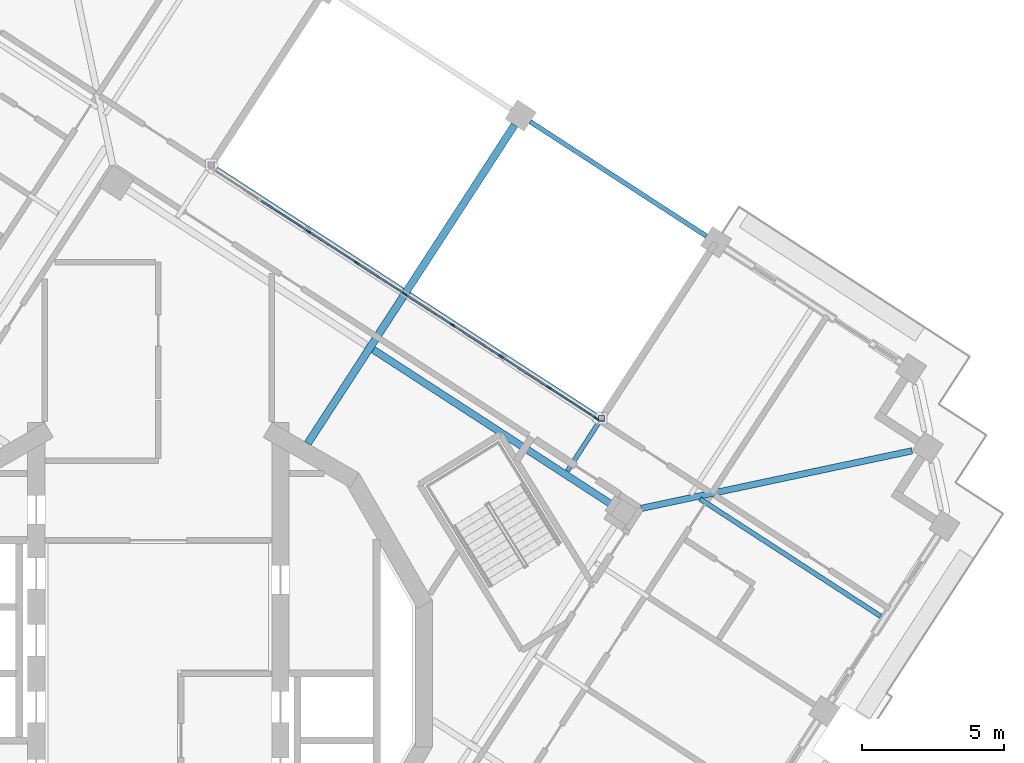
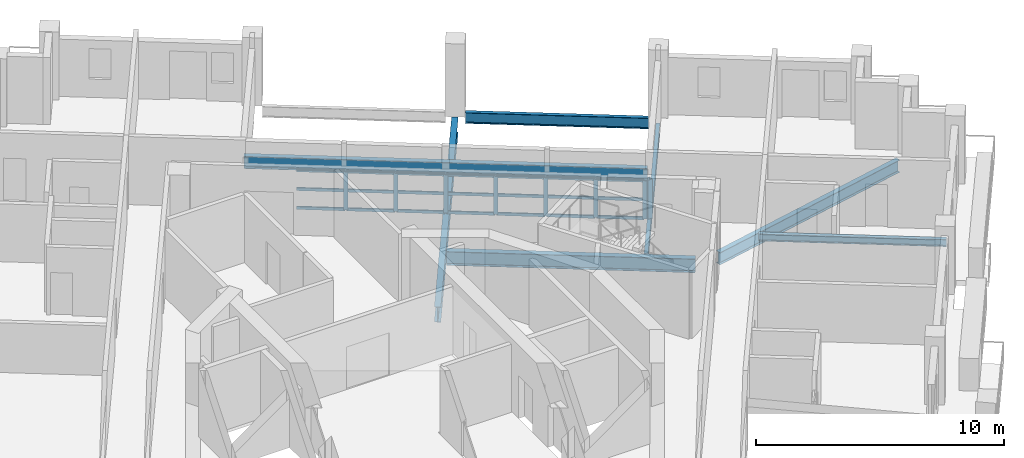
# One storey, part 3 of 17: 29 members, 7 beams, 1 element without a shape of its own.
"""IFC4 building model written with IfcOpenShell, lengths in metres."""

from ifc_helpers import new_model, si_unit, direction, frame, origin, origin_2d, place, context, subcontext, project, spatial, rectangle, hollow_rectangle, i_section, extrude, material, material_profile, profile_set, type_object, element, aggregate, save


model = new_model("IFC4")

# Units and contexts
model_context = context("Model", 3, precision=1e-05, world=origin(), true_north=direction((0.0, 1.0)))
body_context = subcontext(model_context, "Body", "Model", "MODEL_VIEW")
ifc_project = project(units=[si_unit("LENGTHUNIT", "METRE"), si_unit("AREAUNIT", "SQUARE_METRE"), si_unit("VOLUMEUNIT", "CUBIC_METRE"), si_unit("PLANEANGLEUNIT", "RADIAN"), si_unit("MASSUNIT", "GRAM", prefix="KILO")], contexts=[model_context])

# Site, building, storey
site_placement = place(None, origin())
site = spatial("IfcSite", under=ifc_project, at=site_placement, CompositionType="ELEMENT")
building_placement = place(site_placement, origin())
building = spatial("IfcBuilding", under=site, at=building_placement, Name="Cantera Rosa Tower", CompositionType="ELEMENT")
storey_placement = place(building_placement, frame((0.0, 0.0, 279.300048828125)))
storey = spatial("IfcBuildingStorey", under=building, at=storey_placement, Name="L63", CompositionType="ELEMENT", Elevation=279.300048828125)

# Curtain wall, members
ifc_material_1 = material(Name="Aluminium frame with clear glass", Category="aluminium")
curtain_wall_type = type_object("IfcCurtainWallType", Name="CW1 TERRACE POCKET GLAZING", PredefinedType="NOTDEFINED", material=ifc_material_1)
curtain_wall_placement = place(storey_placement, origin())
curtain_wall = element("IfcCurtainWall", 1, at=curtain_wall_placement, inside=storey, type_object=curtain_wall_type, Name="CW1 CW1", PredefinedType="NOTDEFINED")
ifc_material_2 = material(Name="Anodised bronze aluminium", Category="aluminium")
ifc_material_profile_1 = material_profile(ifc_material_2, rectangle(XDim=0.06005859375, YDim=0.179931640625, at=origin_2d()), Name="CW-MULLION 60x180 POCKET")
ifc_profile_set_1 = profile_set([ifc_material_profile_1], Name="Anodised bronze aluminium")
member_type_1 = type_object("IfcMemberType", Name="CW-MULLION 60x180 POCKET", PredefinedType="MULLION", material=ifc_profile_set_1)
member_1_placement = place(storey_placement, frame((15.43408203125, 8.9951171875, 0.0), z_axis=(0.0, 0.0, 1.0), x_axis=(-0.544639034971, -0.838670567974, 0.0)))
member_1 = element("IfcMember", 2, at=member_1_placement, type_object=member_type_1, Name="CW1 mullion 1", PredefinedType="MULLION", context=body_context, shape_type="SweptSolid", body=[
    extrude(rectangle(XDim=0.06005859375, YDim=0.179931640625, at=origin_2d()), origin(), (0.0, 0.0, 1.0), 1.911865234375),
])
member_2_placement = place(storey_placement, frame((13.76611328125, 10.078369140625, 0.0), z_axis=(0.0, 0.0, 1.0), x_axis=(-0.544639034971, -0.838670567974, 0.0)))
member_2 = element("IfcMember", 3, at=member_2_placement, type_object=member_type_1, Name="CW1 mullion 2", PredefinedType="MULLION", context=body_context, shape_type="SweptSolid", body=[
    extrude(rectangle(XDim=0.06005859375, YDim=0.179931640625, at=origin_2d()), origin(), (0.0, 0.0, 1.0), 1.911865234375),
])
member_3_placement = place(storey_placement, frame((12.0732421875, 11.177734375, 0.0), z_axis=(0.0, 0.0, 1.0), x_axis=(-0.544639034971, -0.838670567974, 0.0)))
member_3 = element("IfcMember", 4, at=member_3_placement, type_object=member_type_1, Name="CW1 mullion 3", PredefinedType="MULLION", context=body_context, shape_type="SweptSolid", body=[
    extrude(rectangle(XDim=0.06005859375, YDim=0.179931640625, at=origin_2d()), origin(), (0.0, 0.0, 1.0), 1.911865234375),
])
member_4_placement = place(storey_placement, frame((10.380126953125, 12.27734375, 0.0), z_axis=(0.0, 0.0, 1.0), x_axis=(-0.544639034971, -0.838670567974, 0.0)))
member_4 = element("IfcMember", 5, at=member_4_placement, type_object=member_type_1, Name="CW1 mullion 4", PredefinedType="MULLION", context=body_context, shape_type="SweptSolid", body=[
    extrude(rectangle(XDim=0.06005859375, YDim=0.179931640625, at=origin_2d()), origin(), (0.0, 0.0, 1.0), 1.911865234375),
])
member_5_placement = place(storey_placement, frame((8.68701171875, 13.376708984375, 0.0), z_axis=(0.0, 0.0, 1.0), x_axis=(-0.544639034971, -0.838670567974, 0.0)))
member_5 = element("IfcMember", 6, at=member_5_placement, type_object=member_type_1, Name="CW1 mullion 5", PredefinedType="MULLION", context=body_context, shape_type="SweptSolid", body=[
    extrude(rectangle(XDim=0.06005859375, YDim=0.179931640625, at=origin_2d()), origin(), (0.0, 0.0, 1.0), 1.911865234375),
])
member_6_placement = place(storey_placement, frame((6.993896484375, 14.476318359375, 0.0), z_axis=(0.0, 0.0, 1.0), x_axis=(-0.544639034971, -0.838670567974, 0.0)))
member_6 = element("IfcMember", 7, at=member_6_placement, type_object=member_type_1, Name="CW1 mullion 6", PredefinedType="MULLION", context=body_context, shape_type="SweptSolid", body=[
    extrude(rectangle(XDim=0.06005859375, YDim=0.179931640625, at=origin_2d()), origin(), (0.0, 0.0, 1.0), 1.911865234375),
])
member_7_placement = place(storey_placement, frame((5.30078125, 15.57568359375, 0.0), z_axis=(0.0, 0.0, 1.0), x_axis=(-0.544639034971, -0.838670567974, 0.0)))
member_7 = element("IfcMember", 8, at=member_7_placement, type_object=member_type_1, Name="CW1 mullion 7", PredefinedType="MULLION", context=body_context, shape_type="SweptSolid", body=[
    extrude(rectangle(XDim=0.06005859375, YDim=0.179931640625, at=origin_2d()), origin(), (0.0, 0.0, 1.0), 1.911865234375),
])
ifc_material_3 = material(Name="Anodised bronze aluminium", Category="aluminium")
ifc_material_profile_2 = material_profile(ifc_material_3, rectangle(XDim=0.06005859375, YDim=0.139892578125, at=origin_2d()), Name="CW-TRANSOM 60x140 POCKET")
ifc_profile_set_2 = profile_set([ifc_material_profile_2], Name="Anodised bronze aluminium")
member_type_2 = type_object("IfcMemberType", Name="CW-TRANSOM 60x140 POCKET", PredefinedType="USERDEFINED", material=ifc_profile_set_2)
member_8_placement = place(storey_placement, frame((15.408935546875, 9.011474609375, 0.030029296875), z_axis=(-0.838669105951, 0.544641286282, 0.0), x_axis=(-0.544641286282, -0.838669105951, 0.0)))
member_8 = element("IfcMember", 9, at=member_8_placement, type_object=member_type_2, Name="CW1 transom 1.1", ObjectType="TRANSOM", PredefinedType="USERDEFINED", context=body_context, shape_type="SweptSolid", body=[
    extrude(rectangle(XDim=0.06005859375, YDim=0.139892578125, at=origin_2d()), origin(), (0.0, 0.0, 1.0), 1.928955078125),
])
member_9_placement = place(storey_placement, frame((15.408935546875, 9.011474609375, 0.9560546875), z_axis=(-0.838669105951, 0.544641286282, 0.0), x_axis=(-0.544641286282, -0.838669105951, 0.0)))
member_9 = element("IfcMember", 10, at=member_9_placement, type_object=member_type_2, Name="CW1 transom 1.2", ObjectType="TRANSOM", PredefinedType="USERDEFINED", context=body_context, shape_type="SweptSolid", body=[
    extrude(rectangle(XDim=0.06005859375, YDim=0.139892578125, at=origin_2d()), origin(), (0.0, 0.0, 1.0), 1.928955078125),
])
member_10_placement = place(storey_placement, frame((15.408935546875, 9.011474609375, 1.8818359375), z_axis=(-0.838669105951, 0.544641286282, 0.0), x_axis=(-0.544641286282, -0.838669105951, 0.0)))
member_10 = element("IfcMember", 11, at=member_10_placement, type_object=member_type_2, Name="CW1 transom 1.3", ObjectType="TRANSOM", PredefinedType="USERDEFINED", context=body_context, shape_type="SweptSolid", body=[
    extrude(rectangle(XDim=0.06005859375, YDim=0.139892578125, at=origin_2d()), origin(), (0.0, 0.0, 1.0), 1.928955078125),
])
member_11_placement = place(storey_placement, frame((13.740966796875, 10.0947265625, 0.030029296875), z_axis=(-0.838682769082, 0.544620246451, 0.0), x_axis=(-0.544620246451, -0.838682769082, 0.0)))
member_11 = element("IfcMember", 12, at=member_11_placement, type_object=member_type_2, Name="CW1 transom 2.1", ObjectType="TRANSOM", PredefinedType="USERDEFINED", context=body_context, shape_type="SweptSolid", body=[
    extrude(rectangle(XDim=0.06005859375, YDim=0.139892578125, at=origin_2d()), origin(), (0.0, 0.0, 1.0), 1.95849609375),
])
member_12_placement = place(storey_placement, frame((13.740966796875, 10.0947265625, 0.9560546875), z_axis=(-0.838682769082, 0.544620246451, 0.0), x_axis=(-0.544620246451, -0.838682769082, 0.0)))
member_12 = element("IfcMember", 13, at=member_12_placement, type_object=member_type_2, Name="CW1 transom 2.2", ObjectType="TRANSOM", PredefinedType="USERDEFINED", context=body_context, shape_type="SweptSolid", body=[
    extrude(rectangle(XDim=0.06005859375, YDim=0.139892578125, at=origin_2d()), origin(), (0.0, 0.0, 1.0), 1.95849609375),
])
member_13_placement = place(storey_placement, frame((13.740966796875, 10.0947265625, 1.8818359375), z_axis=(-0.838682769082, 0.544620246451, 0.0), x_axis=(-0.544620246451, -0.838682769082, 0.0)))
member_13 = element("IfcMember", 14, at=member_13_placement, type_object=member_type_2, Name="CW1 transom 2.3", ObjectType="TRANSOM", PredefinedType="USERDEFINED", context=body_context, shape_type="SweptSolid", body=[
    extrude(rectangle(XDim=0.06005859375, YDim=0.139892578125, at=origin_2d()), origin(), (0.0, 0.0, 1.0), 1.95849609375),
])
member_14_placement = place(storey_placement, frame((12.0478515625, 11.194091796875, 0.030029296875), z_axis=(-0.83862583023, 0.544707918862, 0.0), x_axis=(-0.544707918862, -0.83862583023, 0.0)))
member_14 = element("IfcMember", 15, at=member_14_placement, type_object=member_type_2, Name="CW1 transom 3.1", ObjectType="TRANSOM", PredefinedType="USERDEFINED", context=body_context, shape_type="SweptSolid", body=[
    extrude(rectangle(XDim=0.06005859375, YDim=0.139892578125, at=origin_2d()), origin(), (0.0, 0.0, 1.0), 1.958740234375),
])
member_15_placement = place(storey_placement, frame((12.0478515625, 11.194091796875, 0.9560546875), z_axis=(-0.83862583023, 0.544707918862, 0.0), x_axis=(-0.544707918862, -0.83862583023, 0.0)))
member_15 = element("IfcMember", 16, at=member_15_placement, type_object=member_type_2, Name="CW1 transom 3.2", ObjectType="TRANSOM", PredefinedType="USERDEFINED", context=body_context, shape_type="SweptSolid", body=[
    extrude(rectangle(XDim=0.06005859375, YDim=0.139892578125, at=origin_2d()), origin(), (0.0, 0.0, 1.0), 1.958740234375),
])
member_16_placement = place(storey_placement, frame((12.0478515625, 11.194091796875, 1.8818359375), z_axis=(-0.83862583023, 0.544707918862, 0.0), x_axis=(-0.544707918862, -0.83862583023, 0.0)))
member_16 = element("IfcMember", 17, at=member_16_placement, type_object=member_type_2, Name="CW1 transom 3.3", ObjectType="TRANSOM", PredefinedType="USERDEFINED", context=body_context, shape_type="SweptSolid", body=[
    extrude(rectangle(XDim=0.06005859375, YDim=0.139892578125, at=origin_2d()), origin(), (0.0, 0.0, 1.0), 1.958740234375),
])
member_17_placement = place(storey_placement, frame((10.35498046875, 12.293701171875, 0.030029296875), z_axis=(-0.838719737529, 0.544563313013, 0.0), x_axis=(-0.544563313013, -0.838719737529, 0.0)))
member_17 = element("IfcMember", 18, at=member_17_placement, type_object=member_type_2, Name="CW1 transom 4.1", ObjectType="TRANSOM", PredefinedType="USERDEFINED", context=body_context, shape_type="SweptSolid", body=[
    extrude(rectangle(XDim=0.06005859375, YDim=0.139892578125, at=origin_2d()), origin(), (0.0, 0.0, 1.0), 1.958740234375),
])
member_18_placement = place(storey_placement, frame((10.35498046875, 12.293701171875, 0.9560546875), z_axis=(-0.838719737529, 0.544563313013, 0.0), x_axis=(-0.544563313013, -0.838719737529, 0.0)))
member_18 = element("IfcMember", 19, at=member_18_placement, type_object=member_type_2, Name="CW1 transom 4.2", ObjectType="TRANSOM", PredefinedType="USERDEFINED", context=body_context, shape_type="SweptSolid", body=[
    extrude(rectangle(XDim=0.06005859375, YDim=0.139892578125, at=origin_2d()), origin(), (0.0, 0.0, 1.0), 1.958740234375),
])
member_19_placement = place(storey_placement, frame((10.35498046875, 12.293701171875, 1.8818359375), z_axis=(-0.838719737529, 0.544563313013, 0.0), x_axis=(-0.544563313013, -0.838719737529, 0.0)))
member_19 = element("IfcMember", 20, at=member_19_placement, type_object=member_type_2, Name="CW1 transom 4.3", ObjectType="TRANSOM", PredefinedType="USERDEFINED", context=body_context, shape_type="SweptSolid", body=[
    extrude(rectangle(XDim=0.06005859375, YDim=0.139892578125, at=origin_2d()), origin(), (0.0, 0.0, 1.0), 1.958740234375),
])
member_20_placement = place(storey_placement, frame((8.661865234375, 13.39306640625, 0.030029296875), z_axis=(-0.83866280807, 0.544650983989, 0.0), x_axis=(-0.544650983989, -0.83866280807, 0.0)))
member_20 = element("IfcMember", 21, at=member_20_placement, type_object=member_type_2, Name="CW1 transom 5.1", ObjectType="TRANSOM", PredefinedType="USERDEFINED", context=body_context, shape_type="SweptSolid", body=[
    extrude(rectangle(XDim=0.06005859375, YDim=0.139892578125, at=origin_2d()), origin(), (0.0, 0.0, 1.0), 1.958740234375),
])
member_21_placement = place(storey_placement, frame((8.661865234375, 13.39306640625, 0.9560546875), z_axis=(-0.83866280807, 0.544650983989, 0.0), x_axis=(-0.544650983989, -0.83866280807, 0.0)))
member_21 = element("IfcMember", 22, at=member_21_placement, type_object=member_type_2, Name="CW1 transom 5.2", ObjectType="TRANSOM", PredefinedType="USERDEFINED", context=body_context, shape_type="SweptSolid", body=[
    extrude(rectangle(XDim=0.06005859375, YDim=0.139892578125, at=origin_2d()), origin(), (0.0, 0.0, 1.0), 1.958740234375),
])
member_22_placement = place(storey_placement, frame((8.661865234375, 13.39306640625, 1.8818359375), z_axis=(-0.83866280807, 0.544650983989, 0.0), x_axis=(-0.544650983989, -0.83866280807, 0.0)))
member_22 = element("IfcMember", 23, at=member_22_placement, type_object=member_type_2, Name="CW1 transom 5.3", ObjectType="TRANSOM", PredefinedType="USERDEFINED", context=body_context, shape_type="SweptSolid", body=[
    extrude(rectangle(XDim=0.06005859375, YDim=0.139892578125, at=origin_2d()), origin(), (0.0, 0.0, 1.0), 1.958740234375),
])
member_23_placement = place(storey_placement, frame((6.96875, 14.49267578125, 0.030029296875), z_axis=(-0.838719737529, 0.544563313013, 0.0), x_axis=(-0.544563313013, -0.838719737529, 0.0)))
member_23 = element("IfcMember", 24, at=member_23_placement, type_object=member_type_2, Name="CW1 transom 6.1", ObjectType="TRANSOM", PredefinedType="USERDEFINED", context=body_context, shape_type="SweptSolid", body=[
    extrude(rectangle(XDim=0.06005859375, YDim=0.139892578125, at=origin_2d()), origin(), (0.0, 0.0, 1.0), 1.958740234375),
])
member_24_placement = place(storey_placement, frame((6.96875, 14.49267578125, 0.9560546875), z_axis=(-0.838719737529, 0.544563313013, 0.0), x_axis=(-0.544563313013, -0.838719737529, 0.0)))
member_24 = element("IfcMember", 25, at=member_24_placement, type_object=member_type_2, Name="CW1 transom 6.2", ObjectType="TRANSOM", PredefinedType="USERDEFINED", context=body_context, shape_type="SweptSolid", body=[
    extrude(rectangle(XDim=0.06005859375, YDim=0.139892578125, at=origin_2d()), origin(), (0.0, 0.0, 1.0), 1.958740234375),
])
member_25_placement = place(storey_placement, frame((6.96875, 14.49267578125, 1.8818359375), z_axis=(-0.838719737529, 0.544563313013, 0.0), x_axis=(-0.544563313013, -0.838719737529, 0.0)))
member_25 = element("IfcMember", 26, at=member_25_placement, type_object=member_type_2, Name="CW1 transom 6.3", ObjectType="TRANSOM", PredefinedType="USERDEFINED", context=body_context, shape_type="SweptSolid", body=[
    extrude(rectangle(XDim=0.06005859375, YDim=0.139892578125, at=origin_2d()), origin(), (0.0, 0.0, 1.0), 1.958740234375),
])
member_26_placement = place(storey_placement, frame((5.275634765625, 15.592041015625, 0.030029296875), z_axis=(-0.83862583023, 0.544707918862, 0.0), x_axis=(-0.544707918862, -0.83862583023, 0.0)))
member_26 = element("IfcMember", 27, at=member_26_placement, type_object=member_type_2, Name="CW1 transom 7.1", ObjectType="TRANSOM", PredefinedType="USERDEFINED", context=body_context, shape_type="SweptSolid", body=[
    extrude(rectangle(XDim=0.06005859375, YDim=0.139892578125, at=origin_2d()), origin(), (0.0, 0.0, 1.0), 1.958740234375),
])
member_27_placement = place(storey_placement, frame((5.275634765625, 15.592041015625, 0.9560546875), z_axis=(-0.83862583023, 0.544707918862, 0.0), x_axis=(-0.544707918862, -0.83862583023, 0.0)))
member_27 = element("IfcMember", 28, at=member_27_placement, type_object=member_type_2, Name="CW1 transom 7.2", ObjectType="TRANSOM", PredefinedType="USERDEFINED", context=body_context, shape_type="SweptSolid", body=[
    extrude(rectangle(XDim=0.06005859375, YDim=0.139892578125, at=origin_2d()), origin(), (0.0, 0.0, 1.0), 1.958740234375),
])
member_28_placement = place(storey_placement, frame((5.275634765625, 15.592041015625, 1.8818359375), z_axis=(-0.83862583023, 0.544707918862, 0.0), x_axis=(-0.544707918862, -0.83862583023, 0.0)))
member_28 = element("IfcMember", 29, at=member_28_placement, type_object=member_type_2, Name="CW1 transom 7.3", ObjectType="TRANSOM", PredefinedType="USERDEFINED", context=body_context, shape_type="SweptSolid", body=[
    extrude(rectangle(XDim=0.06005859375, YDim=0.139892578125, at=origin_2d()), origin(), (0.0, 0.0, 1.0), 1.958740234375),
])
aggregate(curtain_wall, [member_1, member_2, member_3, member_4, member_5, member_6, member_7, member_8, member_9, member_10, member_11, member_12, member_13, member_14, member_15, member_16, member_17, member_18, member_19, member_20, member_21, member_22, member_23, member_24, member_25, member_26, member_27, member_28])

# Member
ifc_material_4 = material(Name="Steel ASTM A992 (Fy 345 MPa)", Category="steel")
ifc_material_profile_3 = material_profile(ifc_material_4, hollow_rectangle(XDim=0.199951171875, YDim=0.199951171875, WallThickness=0.010009765625, at=origin_2d()), Name="LINTEL POST RHS 200x200x10")
ifc_profile_set_3 = profile_set([ifc_material_profile_3], Name="Steel ASTM A992 (Fy 345 MPa)")
member_type_3 = type_object("IfcMemberType", Name="LINTEL POST RHS 200x200x10", PredefinedType="USERDEFINED", material=ifc_profile_set_3)
member_29_placement = place(storey_placement, frame((15.61865234375, 8.99462890625, 0.0), z_axis=(0.0, 0.0, 1.0), x_axis=(1.0, 0.0, 0.0)))
element("IfcMember", 30, at=member_29_placement, inside=storey, type_object=member_type_3, Name="LINTEL POST L63-1", ObjectType="LINTEL POST", PredefinedType="USERDEFINED", context=body_context, shape_type="SweptSolid", body=[
    extrude(hollow_rectangle(XDim=0.199951171875, YDim=0.199951171875, WallThickness=0.010009765625, at=origin_2d()), origin(), (0.0, 0.0, 1.0), 1.9140625),
])

# Beams
ifc_material_5 = material(Name="Steel ASTM A992 (Fy 345 MPa)", Category="steel")
ifc_material_profile_4 = material_profile(ifc_material_5, i_section(OverallWidth=0.166015625, OverallDepth=0.528076171875, WebThickness=0.009765625, FlangeThickness=0.013671875, FilletRadius=0.0126953125, at=origin_2d()), Name="W530X74")
ifc_profile_set_4 = profile_set([ifc_material_profile_4], Name="Steel ASTM A992 (Fy 345 MPa)")
beam_type_1 = type_object("IfcBeamType", Name="STEEL BEAM W530X74", PredefinedType="BEAM", material=ifc_profile_set_4)
beam_1_placement = place(storey_placement, frame((19.430908203125, 14.865234375, -0.51416015625), z_axis=(-0.544634776066, -0.838673333724, 0.0), x_axis=(0.838673333724, -0.544634776066, 0.0)))
element("IfcBeam", 31, at=beam_1_placement, inside=storey, type_object=beam_type_1, Name="G-Z5-01 L63", PredefinedType="BEAM", context=body_context, shape_type="SweptSolid", body=[
    extrude(i_section(OverallWidth=0.166015625, OverallDepth=0.528076171875, WebThickness=0.009765625, FlangeThickness=0.013671875, FilletRadius=0.0126953125, at=origin_2d()), origin(), (0.0, 0.0, 1.0), 9.19970703125),
])
ifc_material_6 = material(Name="Steel ASTM A992 (Fy 345 MPa)", Category="steel")
ifc_material_profile_5 = material_profile(ifc_material_6, i_section(OverallWidth=0.22802734375, OverallDepth=0.60205078125, WebThickness=0.010498046875, FlangeThickness=0.014892578125, FilletRadius=0.0126953125, at=origin_2d()), Name="W610X101")
ifc_profile_set_5 = profile_set([ifc_material_profile_5], Name="Steel ASTM A992 (Fy 345 MPa)")
beam_type_2 = type_object("IfcBeamType", Name="STEEL BEAM W610X101", PredefinedType="BEAM", material=ifc_profile_set_5)
beam_2_placement = place(storey_placement, frame((26.560791015625, 7.8505859375, -0.551025390625), z_axis=(-0.978148167214, -0.20790902572, 0.0), x_axis=(0.20790902572, -0.978148167214, 0.0)))
element("IfcBeam", 32, at=beam_2_placement, inside=storey, type_object=beam_type_2, Name="CB-Z5-04 L63", PredefinedType="BEAM", context=body_context, shape_type="SweptSolid", body=[
    extrude(i_section(OverallWidth=0.22802734375, OverallDepth=0.60205078125, WebThickness=0.010498046875, FlangeThickness=0.014892578125, FilletRadius=0.0126953125, at=origin_2d()), origin(), (0.0, 0.0, 1.0), 9.758056640625),
])
beam_3_placement = place(storey_placement, frame((15.54931640625, 8.97998046875, 2.21484375), z_axis=(-0.838672479255, 0.544636091845, 0.0), x_axis=(-0.544636091845, -0.838672479255, 0.0)))
element("IfcBeam", 33, at=beam_3_placement, inside=storey, type_object=beam_type_2, Name="LINTEL SL-L63", PredefinedType="BEAM", context=body_context, shape_type="SweptSolid", body=[
    extrude(i_section(OverallWidth=0.22802734375, OverallDepth=0.60205078125, WebThickness=0.010498046875, FlangeThickness=0.014892578125, FilletRadius=0.0126953125, at=origin_2d()), origin(), (0.0, 0.0, 1.0), 16.2998046875),
])
ifc_material_7 = material(Name="Steel ASTM A992 (Fy 345 MPa)", Category="steel")
ifc_material_profile_6 = material_profile(ifc_material_7, i_section(OverallWidth=0.25390625, OverallDepth=0.677978515625, WebThickness=0.01171875, FlangeThickness=0.016357421875, FilletRadius=0.01513671875, at=origin_2d()), Name="W690X125")
ifc_profile_set_6 = profile_set([ifc_material_profile_6], Name="Steel ASTM A992 (Fy 345 MPa)")
beam_type_3 = type_object("IfcBeamType", Name="STEEL BEAM W690X125", PredefinedType="BEAM", material=ifc_profile_set_6)
beam_4_placement = place(storey_placement, frame((16.01611328125, 5.9345703125, -0.589111328125), z_axis=(-0.838672207367, 0.544636510519, 0.0), x_axis=(-0.544636510519, -0.838672207367, 0.0)))
element("IfcBeam", 34, at=beam_4_placement, inside=storey, type_object=beam_type_3, Name="RB-Z5-07 L63", PredefinedType="BEAM", context=body_context, shape_type="SweptSolid", body=[
    extrude(i_section(OverallWidth=0.25390625, OverallDepth=0.677978515625, WebThickness=0.01171875, FlangeThickness=0.016357421875, FilletRadius=0.01513671875, at=origin_2d()), origin(), (0.0, 0.0, 1.0), 10.050048828125),
])
ifc_material_8 = material(Name="Steel ASTM A992 (Fy 345 MPa)", Category="steel")
ifc_material_profile_7 = material_profile(ifc_material_8, i_section(OverallWidth=0.26708984375, OverallDepth=0.75390625, WebThickness=0.01318359375, FlangeThickness=0.01708984375, FilletRadius=0.0166015625, at=origin_2d()), Name="W760X147")
ifc_profile_set_7 = profile_set([ifc_material_profile_7], Name="Steel ASTM A992 (Fy 345 MPa)")
beam_type_4 = type_object("IfcBeamType", Name="STEEL BEAM W760X147", PredefinedType="BEAM", material=ifc_profile_set_7)
beam_5_placement = place(storey_placement, frame((12.553955078125, 19.331298828125, -0.626953125), z_axis=(-0.54464061985, -0.838669538739, 0.0), x_axis=(0.838669538739, -0.54464061985, 0.0)))
element("IfcBeam", 35, at=beam_5_placement, inside=storey, type_object=beam_type_4, Name="G-Z5-02 L63", PredefinedType="BEAM", context=body_context, shape_type="SweptSolid", body=[
    extrude(i_section(OverallWidth=0.26708984375, OverallDepth=0.75390625, WebThickness=0.01318359375, FlangeThickness=0.01708984375, FilletRadius=0.0166015625, at=origin_2d()), origin(), (0.0, 0.0, 1.0), 13.37744140625),
])
ifc_material_9 = material(Name="Steel ASTM A992 (Fy 345 MPa)", Category="steel")
ifc_material_profile_8 = material_profile(ifc_material_9, i_section(OverallWidth=0.1708984375, OverallDepth=0.35595703125, WebThickness=0.00732421875, FlangeThickness=0.01171875, FilletRadius=0.010009765625, at=origin_2d()), Name="W360X51")
ifc_profile_set_8 = profile_set([ifc_material_profile_8], Name="Steel ASTM A992 (Fy 345 MPa)")
beam_type_5 = type_object("IfcBeamType", Name="STEEL JOIST W360X51", PredefinedType="JOIST", material=ifc_profile_set_8)
beam_6_placement = place(storey_placement, frame((25.457763671875, 2.020751953125, -0.427978515625), z_axis=(-0.838680170462, 0.54462424815, 0.0), x_axis=(-0.54462424815, -0.838680170462, 0.0)))
element("IfcBeam", 36, at=beam_6_placement, inside=storey, type_object=beam_type_5, Name="B-Z5-14 L63", PredefinedType="JOIST", context=body_context, shape_type="SweptSolid", body=[
    extrude(i_section(OverallWidth=0.1708984375, OverallDepth=0.35595703125, WebThickness=0.00732421875, FlangeThickness=0.01171875, FilletRadius=0.010009765625, at=origin_2d()), origin(), (0.0, 0.0, 1.0), 7.590087890625),
])
ifc_material_10 = material(Name="Steel ASTM A992 (Fy 345 MPa)", Category="steel")
ifc_material_profile_9 = material_profile(ifc_material_10, i_section(OverallWidth=0.166015625, OverallDepth=0.528076171875, WebThickness=0.009765625, FlangeThickness=0.013671875, FilletRadius=0.0126953125, at=origin_2d()), Name="W530X74")
ifc_profile_set_9 = profile_set([ifc_material_profile_9], Name="Steel ASTM A992 (Fy 345 MPa)")
beam_type_6 = type_object("IfcBeamType", Name="STEEL SPANDREL BEAM W530X74", PredefinedType="SPANDREL", material=ifc_profile_set_9)
beam_7_placement = place(storey_placement, frame((19.3134765625, 15.418701171875, -0.51416015625), z_axis=(-0.838679465365, 0.544625333946, 0.0), x_axis=(-0.544625333946, -0.838679465365, 0.0)))
element("IfcBeam", 37, at=beam_7_placement, inside=storey, type_object=beam_type_6, Name="EB-Z5-02 L63", PredefinedType="SPANDREL", context=body_context, shape_type="SweptSolid", body=[
    extrude(i_section(OverallWidth=0.166015625, OverallDepth=0.528076171875, WebThickness=0.009765625, FlangeThickness=0.013671875, FilletRadius=0.0126953125, at=origin_2d()), origin(), (0.0, 0.0, 1.0), 7.400146484375),
])

save(model, "model.ifc")
